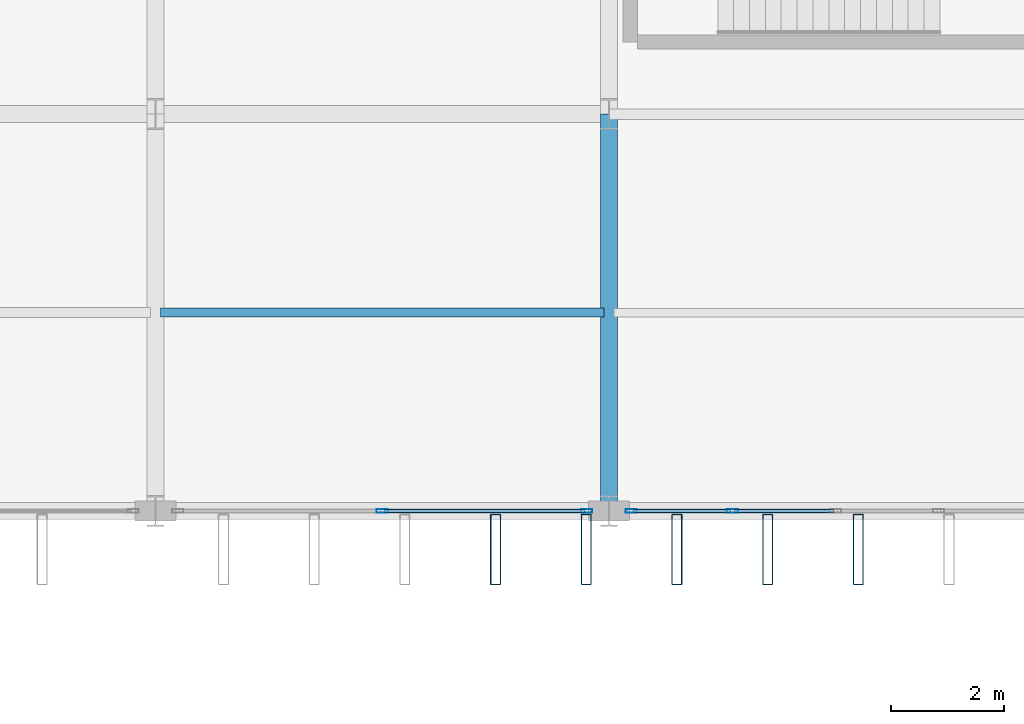
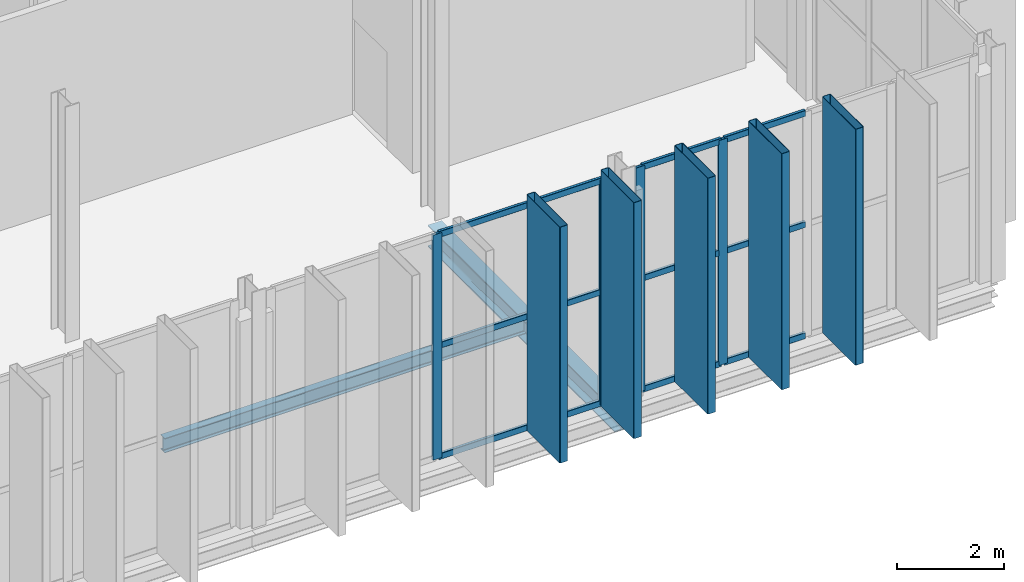
# One storey, part 43 of 147: 18 members, 2 beams, 2 elements without a shape of their own.
"""IFC4 building model written with IfcOpenShell, lengths in metres."""

import ifcopenshell
import ifcopenshell.guid

model = None  # the IFC model being written
_history = None  # IfcOwnerHistory: only IFC2X3 demands one
_inside = {}  # id of a spatial element -> (the spatial element, [elements in it])
_under = {}  # id of a project, library or spatial element -> (it, [spatial elements below it])
_declared = {}  # id of a project -> (the project, [libraries it declares])
_typed = {}  # id of a type object -> (the type object, [elements of that type])
_made_of = {}  # id of a material, layer set ... -> (it, [elements and type objects made of it])


def new_model(schema):
    """Start an empty IFC model of exactly this schema.

    Asked for "IFC4X3", IfcOpenShell would pick the latest addendum, in which some entities
    have other attributes; the version numbers below select the first issue.
    IFC2X3 requires an IfcOwnerHistory on every rooted entity: one is made here for all.
    """
    global model, _history
    if schema == "IFC4X3":
        model = ifcopenshell.file(schema_version=(4, 3, 0, 0))
    else:
        model = ifcopenshell.file(schema=schema)
    _inside.clear()
    _under.clear()
    _declared.clear()
    _typed.clear()
    _made_of.clear()
    _history = None
    if model.schema == "IFC2X3":
        org = make("IfcOrganization", Name="unknown")
        user = make(
            "IfcPersonAndOrganization",
            ThePerson=make("IfcPerson", FamilyName="unknown"),
            TheOrganization=org,
        )
        app = make(
            "IfcApplication",
            ApplicationDeveloper=org,
            Version="unknown",
            ApplicationFullName="unknown",
            ApplicationIdentifier="unknown",
        )
        _history = make(
            "IfcOwnerHistory",
            OwningUser=user,
            OwningApplication=app,
            ChangeAction="ADDED",
            CreationDate=0,
        )
    return model


def make(cls, **values):
    """One entity of the class cls with the attributes given. An attribute that is None is left unset."""
    return model.create_entity(
        cls, **{name: value for name, value in values.items() if value is not None}
    )


def rooted(cls, **values):
    """An entity with a GlobalId (a new one), such as an element, a storey or a relation."""
    return make(cls, GlobalId=ifcopenshell.guid.new(), OwnerHistory=_history, **values)


def si_unit(unit_type, name, prefix=None):
    """IfcSIUnit, for example si_unit("LENGTHUNIT", "METRE", prefix="MILLI")."""
    return make("IfcSIUnit", UnitType=unit_type, Prefix=prefix, Name=name)


def assignment(units):
    """IfcUnitAssignment: the units of a project."""
    return None if units is None else make("IfcUnitAssignment", Units=units)


def point(xyz):
    """IfcCartesianPoint."""
    return None if xyz is None else make("IfcCartesianPoint", Coordinates=xyz)


def direction(xyz):
    """IfcDirection."""
    return None if xyz is None else make("IfcDirection", DirectionRatios=xyz)


def frame(location, z_axis=None, x_axis=None):
    """IfcAxis2Placement3D, a coordinate frame: its origin and axes. An axis left out is left unset."""
    return make(
        "IfcAxis2Placement3D",
        Location=point(location),
        Axis=direction(z_axis),
        RefDirection=direction(x_axis),
    )


def frame_2d(location, x_axis=None):
    """IfcAxis2Placement2D, a coordinate frame in the plane: its origin and x axis."""
    return make(
        "IfcAxis2Placement2D", Location=point(location), RefDirection=direction(x_axis)
    )


def origin():
    """The frame at (0, 0, 0) with its axes left unset."""
    return frame((0.0, 0.0, 0.0))


def origin_2d():
    """The frame at (0, 0) in the plane with its x axis left unset."""
    return frame_2d((0.0, 0.0))


def place(relative_to, where):
    """IfcLocalPlacement: puts the frame where relative to a parent placement (None: the world)."""
    return make(
        "IfcLocalPlacement", PlacementRelTo=relative_to, RelativePlacement=where
    )


def context(
    kind, dimensions, precision=None, world=None, true_north=None, identifier=None
):
    """IfcGeometricRepresentationContext, for example the 3D "Model" context."""
    return make(
        "IfcGeometricRepresentationContext",
        ContextIdentifier=identifier,
        ContextType=kind,
        CoordinateSpaceDimension=dimensions,
        Precision=precision,
        WorldCoordinateSystem=world,
        TrueNorth=true_north,
    )


def subcontext(parent, identifier, kind, view, scale=None):
    """IfcGeometricRepresentationSubContext, for example "Body" below "Model"."""
    return make(
        "IfcGeometricRepresentationSubContext",
        ContextIdentifier=identifier,
        ContextType=kind,
        ParentContext=parent,
        TargetScale=scale,
        TargetView=view,
    )


def project(units=None, contexts=None):
    """IfcProject with its units and contexts."""
    return rooted(
        "IfcProject",
        Name="project",
        RepresentationContexts=contexts,
        UnitsInContext=assignment(units),
    )


def spatial(cls, under=None, at=None, **own):
    """A site, building, storey or space (cls), placed at a placement, below another one or the project."""
    s = rooted(cls, ObjectPlacement=at, **own)
    if under is not None:
        _under.setdefault(under.id(), (under, []))[1].append(s)
    return s


def profile(cls, at=None, kind="AREA", **sizes):
    """A parametric profile (cls). Its sizes go by their IFC names, for example OverallWidth=200.0."""
    return make(cls, ProfileType=kind, Position=at, **sizes)


def hollow_rectangle(**sizes):
    """IfcRectangleHollowProfileDef."""
    return profile("IfcRectangleHollowProfileDef", **sizes)


def i_section(**sizes):
    """IfcIShapeProfileDef."""
    return profile("IfcIShapeProfileDef", **sizes)


def extrude(swept, where, along, depth):
    """IfcExtrudedAreaSolid: the profile swept, set in the frame where, extruded along a direction by depth."""
    return make(
        "IfcExtrudedAreaSolid",
        SweptArea=swept,
        Position=where,
        ExtrudedDirection=direction(along),
        Depth=depth,
    )


def shape(context_of_items, identifier, shape_type, items):
    """IfcShapeRepresentation: the items that make up one representation, for example the "Body"."""
    return make(
        "IfcShapeRepresentation",
        ContextOfItems=context_of_items,
        RepresentationIdentifier=identifier,
        RepresentationType=shape_type,
        Items=items,
    )


def material(Name=None, Category=None):
    """IfcMaterial."""
    return make("IfcMaterial", Name=Name, Category=Category)


def layer(
    of_material, thickness, ventilated=None, Name=None, Category=None, Priority=None
):
    """IfcMaterialLayer: one layer of a wall or slab, of a material (None: an air gap)."""
    return make(
        "IfcMaterialLayer",
        Material=of_material,
        LayerThickness=thickness,
        IsVentilated=ventilated,
        Name=Name,
        Category=Category,
        Priority=Priority,
    )


def layer_set(layers, Name=None):
    """IfcMaterialLayerSet."""
    return make("IfcMaterialLayerSet", MaterialLayers=layers, LayerSetName=Name)


def material_profile(
    of_material, cross_section, Name=None, Category=None, Priority=None
):
    """IfcMaterialProfile: a cross section and its material."""
    return make(
        "IfcMaterialProfile",
        Name=Name,
        Material=of_material,
        Profile=cross_section,
        Priority=Priority,
        Category=Category,
    )


def profile_set(profiles, Name=None, composite=None):
    """IfcMaterialProfileSet."""
    return make(
        "IfcMaterialProfileSet",
        Name=Name,
        MaterialProfiles=profiles,
        CompositeProfile=composite,
    )


def made_of(thing, what):
    """Note that an element or type object is made of a material, layer set ...; save() writes the relation."""
    if what is not None:
        _made_of.setdefault(what.id(), (what, []))[1].append(thing)
    return thing


def type_object(cls, material=None, **own):
    """A type object (cls), such as IfcWallType, which elements share."""
    return made_of(rooted(cls, **own), material)


def element(
    cls,
    number,
    at=None,
    inside=None,
    cuts=None,
    type_object=None,
    material=None,
    context=None,
    identifier="Body",
    shape_type=None,
    held_by="IfcProductDefinitionShape",
    body=None,
    shapes=None,
    **own,
):
    """One element of the class cls, such as IfcWall. Its Tag is "e" and its number.

    at: its placement. inside: the storey or other place that contains it. cuts: it is an
    opening in that element (IfcRelVoidsElement). A single representation is given by context,
    identifier, shape_type and body (its items); several are given by shapes. held_by: the class
    of the entity that holds the representations. save() writes the other relations.
    """
    e = rooted(cls, Tag="e%d" % number, ObjectPlacement=at, **own)
    if body is not None:
        shapes = [shape(context, identifier, shape_type, body)]
    if shapes is not None:
        e.Representation = make(held_by, Representations=shapes)
    if inside is not None:
        _inside.setdefault(inside.id(), (inside, []))[1].append(e)
    if cuts is not None:
        rooted(
            "IfcRelVoidsElement", RelatingBuildingElement=cuts, RelatedOpeningElement=e
        )
    if type_object is not None:
        _typed.setdefault(type_object.id(), (type_object, []))[1].append(e)
    return made_of(e, material)


def aggregate(whole, parts):
    """IfcRelAggregates: a whole, such as a stair, and the parts it consists of."""
    return rooted("IfcRelAggregates", RelatingObject=whole, RelatedObjects=parts)


def save(model, path):
    """Write the relations noted so far, then the file.

    IfcRelAggregates (storeys below a building ...), IfcRelContainedInSpatialStructure (elements
    in a storey), IfcRelDefinesByType, IfcRelAssociatesMaterial and IfcRelDeclares: one each for
    every whole, place, type object, material and project.
    """
    for whole, parts in _under.values():
        aggregate(whole, parts)
    for where, things in _inside.values():
        rooted(
            "IfcRelContainedInSpatialStructure",
            RelatedElements=things,
            RelatingStructure=where,
        )
    for kind, things in _typed.values():
        rooted("IfcRelDefinesByType", RelatedObjects=things, RelatingType=kind)
    for what, things in _made_of.values():
        rooted("IfcRelAssociatesMaterial", RelatedObjects=things, RelatingMaterial=what)
    for by, libraries in _declared.values():
        rooted("IfcRelDeclares", RelatingContext=by, RelatedDefinitions=libraries)
    model.write(path)


model = new_model("IFC4")

# Units and contexts
model_context = context("Model", 3, precision=1e-05, world=origin(), true_north=direction((0.0, 1.0)))
body_context = subcontext(model_context, "Body", "Model", "MODEL_VIEW")
ifc_project = project(units=[si_unit("LENGTHUNIT", "METRE"), si_unit("AREAUNIT", "SQUARE_METRE"), si_unit("VOLUMEUNIT", "CUBIC_METRE"), si_unit("PLANEANGLEUNIT", "RADIAN"), si_unit("MASSUNIT", "GRAM", prefix="KILO")], contexts=[model_context])

# Site, building, storey
site_placement = place(None, origin())
site = spatial("IfcSite", under=ifc_project, at=site_placement, CompositionType="ELEMENT")
building_placement = place(site_placement, origin())
building = spatial("IfcBuilding", under=site, at=building_placement, Name="Vekula Escarpment Museum", CompositionType="ELEMENT")
storey_placement = place(building_placement, frame((0.0, 0.0, 7.800048828125)))
storey = spatial("IfcBuildingStorey", under=building, at=storey_placement, Name="L02", CompositionType="ELEMENT", Elevation=7.800048828125)

# Beams
ifc_material_1 = material(Name="Steel S355", Category="steel")
ifc_material_profile_1 = material_profile(ifc_material_1, i_section(OverallWidth=0.300048828125, OverallDepth=0.5, WebThickness=0.014404296875, FlangeThickness=0.028076171875, FilletRadius=0.027099609375, at=origin_2d()), Name="HEB 500")
ifc_profile_set_1 = profile_set([ifc_material_profile_1], Name="Steel S355")
beam_type_1 = type_object("IfcBeamType", Name="BM-GIRD-HEB500", PredefinedType="BEAM", material=ifc_profile_set_1)
beam_1_placement = place(storey_placement, frame((118.0, 45.60009765625, -0.510009765625), z_axis=(0.0, 1.0, 0.0), x_axis=(-1.0, 0.0, 0.0)))
element("IfcBeam", 1, at=beam_1_placement, inside=storey, type_object=beam_type_1, Name="Beam Y L02 1195", PredefinedType="BEAM", context=body_context, shape_type="SweptSolid", body=[
    extrude(i_section(OverallWidth=0.300048828125, OverallDepth=0.5, WebThickness=0.014404296875, FlangeThickness=0.028076171875, FilletRadius=0.027099609375, at=origin_2d()), origin(), (0.0, 0.0, 1.0), 7.0),
])
ifc_material_2 = material(Name="Steel S355", Category="steel")
ifc_material_profile_2 = material_profile(ifc_material_2, i_section(OverallWidth=0.159912109375, OverallDepth=0.330078125, WebThickness=0.007568359375, FlangeThickness=0.011474609375, FilletRadius=0.01806640625, at=origin_2d()), Name="IPE 330")
ifc_profile_set_2 = profile_set([ifc_material_profile_2], Name="Steel S355")
beam_type_2 = type_object("IfcBeamType", Name="BM-JST-IPE330", PredefinedType="JOIST", material=ifc_profile_set_2)
beam_2_placement = place(storey_placement, frame((110.090087890625, 49.10009765625, -0.425048828125), z_axis=(1.0, 0.0, 0.0), x_axis=(0.0, 1.0, 0.0)))
element("IfcBeam", 2, at=beam_2_placement, inside=storey, type_object=beam_type_2, Name="Secondary Joist L02 0806", PredefinedType="JOIST", context=body_context, shape_type="SweptSolid", body=[
    extrude(i_section(OverallWidth=0.159912109375, OverallDepth=0.330078125, WebThickness=0.007568359375, FlangeThickness=0.011474609375, FilletRadius=0.01806640625, at=origin_2d()), origin(), (0.0, 0.0, 1.0), 7.81982421875),
])

# Curtain wall, members
ifc_material_3 = material(Name="Aluminium thermally broken framing", Category="aluminium")
ifc_layer_1 = layer(ifc_material_3, 0.179931640625)
ifc_layer_set_1 = layer_set([ifc_layer_1], Name="Aluminium thermally broken framing")
curtain_wall_type_1 = type_object("IfcCurtainWallType", Name="CW-SYS-08", PredefinedType="NOTDEFINED", material=ifc_layer_set_1)
curtain_wall_1_placement = place(storey_placement, origin())
curtain_wall_1 = element("IfcCurtainWall", 3, at=curtain_wall_1_placement, inside=storey, type_object=curtain_wall_type_1, Name="Curtain Wall CW-L02-058", PredefinedType="NOTDEFINED")
ifc_material_4 = material(Name="Aluminium anodized mullion", Category="aluminium")
ifc_material_profile_3 = material_profile(ifc_material_4, hollow_rectangle(XDim=0.06494140625, YDim=0.199951171875, WallThickness=0.00390625, InnerFilletRadius=0.00390625, OuterFilletRadius=0.008056640625, at=origin_2d()), Name="ALU 200x65x4")
ifc_profile_set_3 = profile_set([ifc_material_profile_3], Name="Aluminium anodized mullion")
member_type_1 = type_object("IfcMemberType", Name="CW-MUL-200", PredefinedType="MULLION", material=ifc_profile_set_3)
member_1_placement = place(storey_placement, frame((114.0, 45.60009765625, 0.0), z_axis=(0.0, 0.0, 1.0), x_axis=(0.0, 1.0, 0.0)))
member_1 = element("IfcMember", 4, at=member_1_placement, type_object=member_type_1, Name="CW-08 mullion 2", PredefinedType="MULLION", context=body_context, shape_type="SweptSolid", body=[
    extrude(hollow_rectangle(XDim=0.06494140625, YDim=0.199951171875, WallThickness=0.00390625, InnerFilletRadius=0.00390625, OuterFilletRadius=0.008056640625, at=origin_2d()), origin(), (0.0, 0.0, 1.0), 5.14990234375),
])
member_2_placement = place(storey_placement, frame((117.607421875, 45.60009765625, 0.0), z_axis=(0.0, 0.0, 1.0), x_axis=(0.0, 1.0, 0.0)))
member_2 = element("IfcMember", 5, at=member_2_placement, type_object=member_type_1, Name="CW-08 mullion 3", PredefinedType="MULLION", context=body_context, shape_type="SweptSolid", body=[
    extrude(hollow_rectangle(XDim=0.06494140625, YDim=0.199951171875, WallThickness=0.00390625, InnerFilletRadius=0.00390625, OuterFilletRadius=0.008056640625, at=origin_2d()), origin(), (0.0, 0.0, 1.0), 5.14990234375),
])

ifc_material_5 = material(Name="Aluminium thermally broken framing", Category="aluminium")
ifc_layer_2 = layer(ifc_material_5, 0.14990234375)
ifc_layer_set_2 = layer_set([ifc_layer_2], Name="Aluminium thermally broken framing")
curtain_wall_type_2 = type_object("IfcCurtainWallType", Name="CW-SYS-09", PredefinedType="NOTDEFINED", material=ifc_layer_set_2)
curtain_wall_2_placement = place(storey_placement, origin())
curtain_wall_2 = element("IfcCurtainWall", 6, at=curtain_wall_2_placement, inside=storey, type_object=curtain_wall_type_2, Name="Curtain Wall CW-L02-059", PredefinedType="NOTDEFINED")
member_3_placement = place(storey_placement, frame((118.392578125, 45.60009765625, 0.0), z_axis=(0.0, 0.0, 1.0), x_axis=(0.0, 1.0, 0.0)))
member_3 = element("IfcMember", 7, at=member_3_placement, type_object=member_type_1, Name="CW-09 mullion 1", PredefinedType="MULLION", context=body_context, shape_type="SweptSolid", body=[
    extrude(hollow_rectangle(XDim=0.06494140625, YDim=0.199951171875, WallThickness=0.00390625, InnerFilletRadius=0.00390625, OuterFilletRadius=0.008056640625, at=origin_2d()), origin(), (0.0, 0.0, 1.0), 5.14990234375),
])
member_4_placement = place(storey_placement, frame((120.179931640625, 45.60009765625, 0.0), z_axis=(0.0, 0.0, 1.0), x_axis=(0.0, 1.0, 0.0)))
member_4 = element("IfcMember", 8, at=member_4_placement, type_object=member_type_1, Name="CW-09 mullion 2", PredefinedType="MULLION", context=body_context, shape_type="SweptSolid", body=[
    extrude(hollow_rectangle(XDim=0.06494140625, YDim=0.199951171875, WallThickness=0.00390625, InnerFilletRadius=0.00390625, OuterFilletRadius=0.008056640625, at=origin_2d()), origin(), (0.0, 0.0, 1.0), 5.14990234375),
])

# Member
ifc_material_6 = material(Name="Aluminium anodized transom", Category="aluminium")
ifc_material_profile_4 = material_profile(ifc_material_6, hollow_rectangle(XDim=0.06494140625, YDim=0.139892578125, WallThickness=0.00390625, InnerFilletRadius=0.00390625, OuterFilletRadius=0.008056640625, at=origin_2d()), Name="ALU 140x65x4")
ifc_profile_set_4 = profile_set([ifc_material_profile_4], Name="Aluminium anodized transom")
member_type_2 = type_object("IfcMemberType", Name="CW-TRN-140", PredefinedType="USERDEFINED", material=ifc_profile_set_4)
member_5_placement = place(storey_placement, frame((114.032470703125, 45.60009765625, 0.032470703125), z_axis=(1.0, 0.0, 0.0), x_axis=(0.0, 1.0, 0.0)))
member_5 = element("IfcMember", 9, at=member_5_placement, type_object=member_type_2, Name="CW-08 transom 2.1", ObjectType="TRANSOM", PredefinedType="USERDEFINED", context=body_context, shape_type="SweptSolid", body=[
    extrude(hollow_rectangle(XDim=0.06494140625, YDim=0.139892578125, WallThickness=0.00390625, InnerFilletRadius=0.00390625, OuterFilletRadius=0.008056640625, at=origin_2d()), origin(), (0.0, 0.0, 1.0), 3.54248046875),
])

member_6_placement = place(storey_placement, frame((114.032470703125, 45.60009765625, 2.574951171875), z_axis=(1.0, 0.0, 0.0), x_axis=(0.0, 1.0, 0.0)))
member_6 = element("IfcMember", 10, at=member_6_placement, type_object=member_type_2, Name="CW-08 transom 2.2", ObjectType="TRANSOM", PredefinedType="USERDEFINED", context=body_context, shape_type="SweptSolid", body=[
    extrude(hollow_rectangle(XDim=0.06494140625, YDim=0.139892578125, WallThickness=0.00390625, InnerFilletRadius=0.00390625, OuterFilletRadius=0.008056640625, at=origin_2d()), origin(), (0.0, 0.0, 1.0), 3.54248046875),
])

member_7_placement = place(storey_placement, frame((114.032470703125, 45.60009765625, 5.117431640625), z_axis=(1.0, 0.0, 0.0), x_axis=(0.0, 1.0, 0.0)))
member_7 = element("IfcMember", 11, at=member_7_placement, type_object=member_type_2, Name="CW-08 transom 2.3", ObjectType="TRANSOM", PredefinedType="USERDEFINED", context=body_context, shape_type="SweptSolid", body=[
    extrude(hollow_rectangle(XDim=0.06494140625, YDim=0.139892578125, WallThickness=0.00390625, InnerFilletRadius=0.00390625, OuterFilletRadius=0.008056640625, at=origin_2d()), origin(), (0.0, 0.0, 1.0), 3.54248046875),
])

aggregate(curtain_wall_1, [member_1, member_2, member_5, member_6, member_7])

member_8_placement = place(storey_placement, frame((118.425048828125, 45.60009765625, 0.032470703125), z_axis=(1.0, 0.0, 0.0), x_axis=(0.0, 1.0, 0.0)))
member_8 = element("IfcMember", 12, at=member_8_placement, type_object=member_type_2, Name="CW-09 transom 1.1", ObjectType="TRANSOM", PredefinedType="USERDEFINED", context=body_context, shape_type="SweptSolid", body=[
    extrude(hollow_rectangle(XDim=0.06494140625, YDim=0.139892578125, WallThickness=0.00390625, InnerFilletRadius=0.00390625, OuterFilletRadius=0.008056640625, at=origin_2d()), origin(), (0.0, 0.0, 1.0), 1.722412109375),
])

member_9_placement = place(storey_placement, frame((118.425048828125, 45.60009765625, 2.574951171875), z_axis=(1.0, 0.0, 0.0), x_axis=(0.0, 1.0, 0.0)))
member_9 = element("IfcMember", 13, at=member_9_placement, type_object=member_type_2, Name="CW-09 transom 1.2", ObjectType="TRANSOM", PredefinedType="USERDEFINED", context=body_context, shape_type="SweptSolid", body=[
    extrude(hollow_rectangle(XDim=0.06494140625, YDim=0.139892578125, WallThickness=0.00390625, InnerFilletRadius=0.00390625, OuterFilletRadius=0.008056640625, at=origin_2d()), origin(), (0.0, 0.0, 1.0), 1.722412109375),
])

member_10_placement = place(storey_placement, frame((118.425048828125, 45.60009765625, 5.117431640625), z_axis=(1.0, 0.0, 0.0), x_axis=(0.0, 1.0, 0.0)))
member_10 = element("IfcMember", 14, at=member_10_placement, type_object=member_type_2, Name="CW-09 transom 1.3", ObjectType="TRANSOM", PredefinedType="USERDEFINED", context=body_context, shape_type="SweptSolid", body=[
    extrude(hollow_rectangle(XDim=0.06494140625, YDim=0.139892578125, WallThickness=0.00390625, InnerFilletRadius=0.00390625, OuterFilletRadius=0.008056640625, at=origin_2d()), origin(), (0.0, 0.0, 1.0), 1.722412109375),
])

member_11_placement = place(storey_placement, frame((120.21240234375, 45.60009765625, 0.032470703125), z_axis=(1.0, 0.0, 0.0), x_axis=(0.0, 1.0, 0.0)))
member_11 = element("IfcMember", 15, at=member_11_placement, type_object=member_type_2, Name="CW-09 transom 2.1", ObjectType="TRANSOM", PredefinedType="USERDEFINED", context=body_context, shape_type="SweptSolid", body=[
    extrude(hollow_rectangle(XDim=0.06494140625, YDim=0.139892578125, WallThickness=0.00390625, InnerFilletRadius=0.00390625, OuterFilletRadius=0.008056640625, at=origin_2d()), origin(), (0.0, 0.0, 1.0), 1.755126953125),
])

member_12_placement = place(storey_placement, frame((120.21240234375, 45.60009765625, 2.574951171875), z_axis=(1.0, 0.0, 0.0), x_axis=(0.0, 1.0, 0.0)))
member_12 = element("IfcMember", 16, at=member_12_placement, type_object=member_type_2, Name="CW-09 transom 2.2", ObjectType="TRANSOM", PredefinedType="USERDEFINED", context=body_context, shape_type="SweptSolid", body=[
    extrude(hollow_rectangle(XDim=0.06494140625, YDim=0.139892578125, WallThickness=0.00390625, InnerFilletRadius=0.00390625, OuterFilletRadius=0.008056640625, at=origin_2d()), origin(), (0.0, 0.0, 1.0), 1.755126953125),
])

member_13_placement = place(storey_placement, frame((120.21240234375, 45.60009765625, 5.117431640625), z_axis=(1.0, 0.0, 0.0), x_axis=(0.0, 1.0, 0.0)))
member_13 = element("IfcMember", 17, at=member_13_placement, type_object=member_type_2, Name="CW-09 transom 2.3", ObjectType="TRANSOM", PredefinedType="USERDEFINED", context=body_context, shape_type="SweptSolid", body=[
    extrude(hollow_rectangle(XDim=0.06494140625, YDim=0.139892578125, WallThickness=0.00390625, InnerFilletRadius=0.00390625, OuterFilletRadius=0.008056640625, at=origin_2d()), origin(), (0.0, 0.0, 1.0), 1.755126953125),
])

aggregate(curtain_wall_2, [member_3, member_4, member_8, member_9, member_10, member_11, member_12, member_13])

# Members
ifc_material_7 = material(Name="Steel S355 weathered bronze solar fin", Category="steel")
ifc_material_profile_5 = material_profile(ifc_material_7, hollow_rectangle(XDim=0.179931640625, YDim=1.25, WallThickness=0.010009765625, InnerFilletRadius=0.010009765625, OuterFilletRadius=0.02001953125, at=origin_2d()), Name="RHS 1250x180x10")
ifc_profile_set_5 = profile_set([ifc_material_profile_5], Name="Steel S355 weathered bronze solar fin")
member_type_3 = type_object("IfcMemberType", Name="MB-SOLAR-FIN", PredefinedType="USERDEFINED", material=ifc_profile_set_5)
for number, where, z_axis, x_axis, name in (
    (18, (116.0, 44.919921875, 0.0), (0.0, 0.0, 1.0), (1.0, 0.0, 0.0), "Great Hall Vertical Solar Fin 0102"),
    (19, (117.60009765625, 44.919921875, 0.0), (0.0, 0.0, 1.0), (1.0, 0.0, 0.0), "Great Hall Vertical Solar Fin 0107"),
    (20, (119.199951171875, 44.919921875, 0.0), (0.0, 0.0, 1.0), (1.0, 0.0, 0.0), "Great Hall Vertical Solar Fin 0112"),
    (21, (120.800048828125, 44.919921875, 0.0), (0.0, 0.0, 1.0), (1.0, 0.0, 0.0), "Great Hall Vertical Solar Fin 0117"),
    (22, (122.39990234375, 44.919921875, 0.0), (0.0, 0.0, 1.0), (1.0, 0.0, 0.0), "Great Hall Vertical Solar Fin 0122"),
):
    element("IfcMember", number, at=place(storey_placement, frame(where, z_axis=z_axis, x_axis=x_axis)), inside=storey, type_object=member_type_3, Name=name, ObjectType="SOLAR FIN", PredefinedType="USERDEFINED", context=body_context, shape_type="SweptSolid", body=[
        extrude(hollow_rectangle(XDim=0.179931640625, YDim=1.25, WallThickness=0.010009765625, InnerFilletRadius=0.010009765625, OuterFilletRadius=0.02001953125, at=origin_2d()), origin(), (0.0, 0.0, 1.0), 5.39990234375),
    ])

save(model, "model.ifc")
